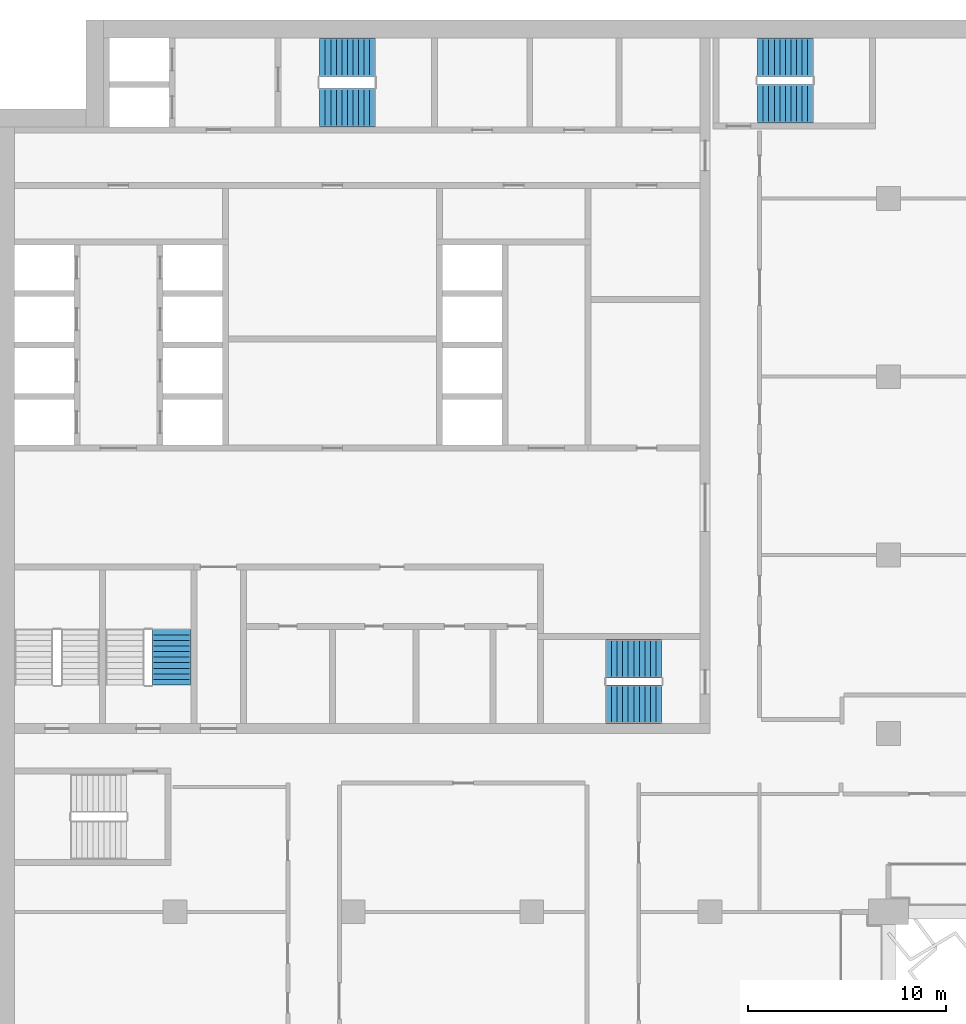
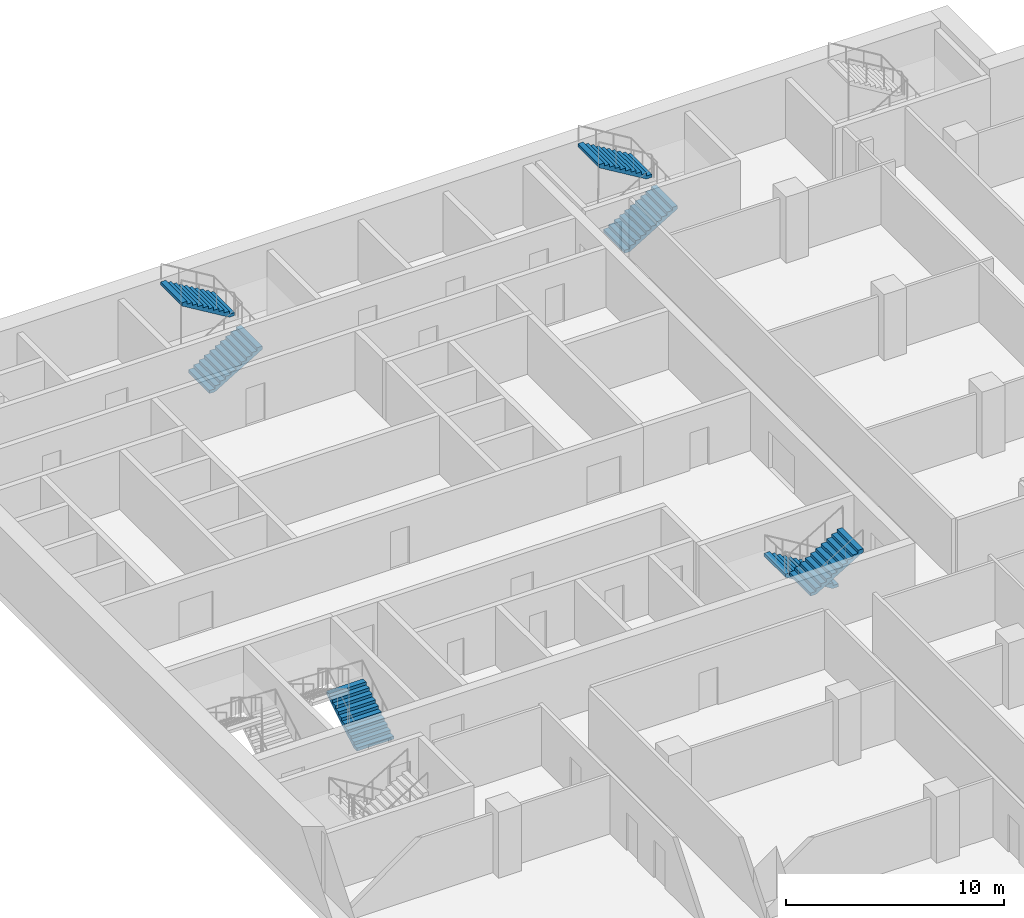
# One storey, part 16 of 22: 7 stair flights, 4 elements without a shape of their own.
"""IFC4 building model written with IfcOpenShell, lengths in metres."""

from ifc_helpers import new_model, si_unit, direction, frame, origin, place, context, subcontext, project, spatial, polyline, outline, extrude, material, type_object, element, aggregate, save


model = new_model("IFC4")

# Units and contexts
model_context = context("Model", 3, precision=1e-05, world=origin(), true_north=direction((0.0, 1.0)))
body_context = subcontext(model_context, "Body", "Model", "MODEL_VIEW")
ifc_project = project(units=[si_unit("LENGTHUNIT", "METRE"), si_unit("AREAUNIT", "SQUARE_METRE"), si_unit("VOLUMEUNIT", "CUBIC_METRE"), si_unit("PLANEANGLEUNIT", "RADIAN"), si_unit("MASSUNIT", "GRAM", prefix="KILO")], contexts=[model_context])

# Site, building, storey
site_placement = place(None, origin())
site = spatial("IfcSite", under=ifc_project, at=site_placement, CompositionType="ELEMENT")
building_placement = place(site_placement, origin())
building = spatial("IfcBuilding", under=site, at=building_placement, Name="Hunhe Ridgeline Campus", CompositionType="ELEMENT")
storey_placement = place(building_placement, frame((0.0, 0.0, 156.0)))
storey = spatial("IfcBuildingStorey", under=building, at=storey_placement, Name="L39", CompositionType="ELEMENT", Elevation=156.0)

# Stair, stair flights
ifc_material = material(Name="Concrete C40", Category="concrete")
stair_type = type_object("IfcStairType", Name="Reinforced concrete dog-leg stair 1950 Concrete C40", PredefinedType="HALF_TURN_STAIR", material=ifc_material)
stair_1_placement = place(storey_placement, origin())
stair_1 = element("IfcStair", 1, at=stair_1_placement, inside=storey, type_object=stair_type, Name="L39 S1", PredefinedType="HALF_TURN_STAIR")
stair_flight_type = type_object("IfcStairFlightType", Name="Reinforced concrete stair flight 1950 Concrete C40", PredefinedType="STRAIGHT", material=ifc_material)
stair_flight_1_placement = place(storey_placement, frame((16.300048828125, 94.574951171875, 0.0), z_axis=(0.0, 0.0, 1.0), x_axis=(1.0, 0.0, 0.0)))
stair_flight_1 = element("IfcStairFlight", 2, at=stair_flight_1_placement, type_object=stair_flight_type, Name="ST1 flight 1", NumberOfRisers=11, NumberOfTreads=10, PredefinedType="STRAIGHT", RiserHeight=0.168181818, TreadLength=0.28, context=body_context, shape_type="SweptSolid", body=[
    extrude(outline(polyline([(0.0, 0.0), (0.0, 0.168212890625), (0.280029296875, 0.168212890625), (0.280029296875, 0.33642578125), (0.56005859375, 0.33642578125), (0.56005859375, 0.504638671875), (0.840087890625, 0.504638671875), (0.840087890625, 0.672607421875), (1.1201171875, 0.672607421875), (1.1201171875, 0.8408203125), (1.39990234375, 0.8408203125), (1.39990234375, 1.009033203125), (1.679931640625, 1.009033203125), (1.679931640625, 1.17724609375), (1.9599609375, 1.17724609375), (1.9599609375, 1.345458984375), (2.239990234375, 1.345458984375), (2.239990234375, 1.513671875), (2.52001953125, 1.513671875), (2.52001953125, 1.681884765625), (2.800048828125, 1.681884765625), (2.800048828125, 1.85009765625), (2.800048828125, 1.5068359375), (0.291015625, 0.0), (0.0, 0.0)])), frame((0.0, 0.97509765625, 0.0), z_axis=(0.0, -1.0, 0.0), x_axis=(1.0, 0.0, 0.0)), (0.0, 0.0, 1.0), 1.949951171875),
    extrude(outline(polyline([(0.030029296875, 0.030029296875), (0.030029296875, 0.13818359375), (0.31005859375, 0.13818359375), (0.31005859375, 0.306396484375), (0.590087890625, 0.306396484375), (0.590087890625, 0.474609375), (0.8701171875, 0.474609375), (0.8701171875, 0.642578125), (1.14990234375, 0.642578125), (1.14990234375, 0.810791015625), (1.429931640625, 0.810791015625), (1.429931640625, 0.97900390625), (1.7099609375, 0.97900390625), (1.7099609375, 1.147216796875), (1.989990234375, 1.147216796875), (1.989990234375, 1.3154296875), (2.27001953125, 1.3154296875), (2.27001953125, 1.483642578125), (2.550048828125, 1.483642578125), (2.550048828125, 1.65185546875), (2.77001953125, 1.65185546875), (2.77001953125, 1.52392578125), (0.28271484375, 0.030029296875), (0.030029296875, 0.030029296875)])), frame((0.0, -0.070068359375, 0.0), z_axis=(0.0, -1.0, 0.0), x_axis=(1.0, 0.0, 0.0)), (0.0, 0.0, 1.0), 0.019775390625),
    extrude(outline(polyline([(0.030029296875, 0.030029296875), (0.030029296875, 0.13818359375), (0.31005859375, 0.13818359375), (0.31005859375, 0.306396484375), (0.590087890625, 0.306396484375), (0.590087890625, 0.474609375), (0.8701171875, 0.474609375), (0.8701171875, 0.642578125), (1.14990234375, 0.642578125), (1.14990234375, 0.810791015625), (1.429931640625, 0.810791015625), (1.429931640625, 0.97900390625), (1.7099609375, 0.97900390625), (1.7099609375, 1.147216796875), (1.989990234375, 1.147216796875), (1.989990234375, 1.3154296875), (2.27001953125, 1.3154296875), (2.27001953125, 1.483642578125), (2.550048828125, 1.483642578125), (2.550048828125, 1.65185546875), (2.77001953125, 1.65185546875), (2.77001953125, 1.52392578125), (0.28271484375, 0.030029296875), (0.030029296875, 0.030029296875)])), frame((0.0, 0.010009765625, 0.0), z_axis=(0.0, -1.0, 0.0), x_axis=(1.0, 0.0, 0.0)), (0.0, 0.0, 1.0), 0.019775390625),
    extrude(outline(polyline([(0.030029296875, 0.030029296875), (0.030029296875, 0.13818359375), (0.31005859375, 0.13818359375), (0.31005859375, 0.306396484375), (0.590087890625, 0.306396484375), (0.590087890625, 0.474609375), (0.8701171875, 0.474609375), (0.8701171875, 0.642578125), (1.14990234375, 0.642578125), (1.14990234375, 0.810791015625), (1.429931640625, 0.810791015625), (1.429931640625, 0.97900390625), (1.7099609375, 0.97900390625), (1.7099609375, 1.147216796875), (1.989990234375, 1.147216796875), (1.989990234375, 1.3154296875), (2.27001953125, 1.3154296875), (2.27001953125, 1.483642578125), (2.550048828125, 1.483642578125), (2.550048828125, 1.65185546875), (2.77001953125, 1.65185546875), (2.77001953125, 1.52392578125), (0.28271484375, 0.030029296875), (0.030029296875, 0.030029296875)])), frame((0.0, 0.090087890625, 0.0), z_axis=(0.0, -1.0, 0.0), x_axis=(1.0, 0.0, 0.0)), (0.0, 0.0, 1.0), 0.019775390625),
])
stair_flight_2_placement = place(storey_placement, frame((19.10009765625, 97.125, 1.85009765625), z_axis=(0.0, 0.0, 1.0), x_axis=(-1.0, 0.0, 0.0)))
stair_flight_2 = element("IfcStairFlight", 3, at=stair_flight_2_placement, type_object=stair_flight_type, Name="ST1 flight 2", NumberOfRisers=11, NumberOfTreads=10, PredefinedType="STRAIGHT", RiserHeight=0.168181818, TreadLength=0.28, context=body_context, shape_type="SweptSolid", body=[
    extrude(outline(polyline([(0.0, 0.0), (0.0, 0.168212890625), (0.280029296875, 0.168212890625), (0.280029296875, 0.33642578125), (0.56005859375, 0.33642578125), (0.56005859375, 0.504638671875), (0.840087890625, 0.504638671875), (0.840087890625, 0.672607421875), (1.1201171875, 0.672607421875), (1.1201171875, 0.8408203125), (1.39990234375, 0.8408203125), (1.39990234375, 1.009033203125), (1.679931640625, 1.009033203125), (1.679931640625, 1.17724609375), (1.9599609375, 1.17724609375), (1.9599609375, 1.345458984375), (2.239990234375, 1.345458984375), (2.239990234375, 1.513671875), (2.52001953125, 1.513671875), (2.52001953125, 1.681884765625), (2.800048828125, 1.681884765625), (2.800048828125, 1.85009765625), (2.800048828125, 1.5068359375), (0.291015625, 0.0), (0.0, 0.0)])), frame((0.0, 0.97509765625, 0.0), z_axis=(0.0, -1.0, 0.0), x_axis=(1.0, 0.0, 0.0)), (0.0, 0.0, 1.0), 1.949951171875),
    extrude(outline(polyline([(0.030029296875, 0.030029296875), (0.030029296875, 0.13818359375), (0.31005859375, 0.13818359375), (0.31005859375, 0.306396484375), (0.590087890625, 0.306396484375), (0.590087890625, 0.474609375), (0.8701171875, 0.474609375), (0.8701171875, 0.642578125), (1.14990234375, 0.642578125), (1.14990234375, 0.810791015625), (1.429931640625, 0.810791015625), (1.429931640625, 0.97900390625), (1.7099609375, 0.97900390625), (1.7099609375, 1.147216796875), (1.989990234375, 1.147216796875), (1.989990234375, 1.3154296875), (2.27001953125, 1.3154296875), (2.27001953125, 1.483642578125), (2.550048828125, 1.483642578125), (2.550048828125, 1.65185546875), (2.77001953125, 1.65185546875), (2.77001953125, 1.52392578125), (0.28271484375, 0.030029296875), (0.030029296875, 0.030029296875)])), frame((0.0, -0.070068359375, 0.0), z_axis=(0.0, -1.0, 0.0), x_axis=(1.0, 0.0, 0.0)), (0.0, 0.0, 1.0), 0.019775390625),
    extrude(outline(polyline([(0.030029296875, 0.030029296875), (0.030029296875, 0.13818359375), (0.31005859375, 0.13818359375), (0.31005859375, 0.306396484375), (0.590087890625, 0.306396484375), (0.590087890625, 0.474609375), (0.8701171875, 0.474609375), (0.8701171875, 0.642578125), (1.14990234375, 0.642578125), (1.14990234375, 0.810791015625), (1.429931640625, 0.810791015625), (1.429931640625, 0.97900390625), (1.7099609375, 0.97900390625), (1.7099609375, 1.147216796875), (1.989990234375, 1.147216796875), (1.989990234375, 1.3154296875), (2.27001953125, 1.3154296875), (2.27001953125, 1.483642578125), (2.550048828125, 1.483642578125), (2.550048828125, 1.65185546875), (2.77001953125, 1.65185546875), (2.77001953125, 1.52392578125), (0.28271484375, 0.030029296875), (0.030029296875, 0.030029296875)])), frame((0.0, 0.010009765625, 0.0), z_axis=(0.0, -1.0, 0.0), x_axis=(1.0, 0.0, 0.0)), (0.0, 0.0, 1.0), 0.019775390625),
    extrude(outline(polyline([(0.030029296875, 0.030029296875), (0.030029296875, 0.13818359375), (0.31005859375, 0.13818359375), (0.31005859375, 0.306396484375), (0.590087890625, 0.306396484375), (0.590087890625, 0.474609375), (0.8701171875, 0.474609375), (0.8701171875, 0.642578125), (1.14990234375, 0.642578125), (1.14990234375, 0.810791015625), (1.429931640625, 0.810791015625), (1.429931640625, 0.97900390625), (1.7099609375, 0.97900390625), (1.7099609375, 1.147216796875), (1.989990234375, 1.147216796875), (1.989990234375, 1.3154296875), (2.27001953125, 1.3154296875), (2.27001953125, 1.483642578125), (2.550048828125, 1.483642578125), (2.550048828125, 1.65185546875), (2.77001953125, 1.65185546875), (2.77001953125, 1.52392578125), (0.28271484375, 0.030029296875), (0.030029296875, 0.030029296875)])), frame((0.0, 0.090087890625, 0.0), z_axis=(0.0, -1.0, 0.0), x_axis=(1.0, 0.0, 0.0)), (0.0, 0.0, 1.0), 0.019775390625),
])
aggregate(stair_1, [stair_flight_1, stair_flight_2])

stair_2_placement = place(storey_placement, origin())
stair_2 = element("IfcStair", 4, at=stair_2_placement, inside=storey, type_object=stair_type, Name="L39 S2", PredefinedType="HALF_TURN_STAIR")
stair_flight_3_placement = place(storey_placement, frame((33.550048828125, 66.77490234375, 0.0), z_axis=(0.0, 0.0, 1.0), x_axis=(-1.0, 0.0, 0.0)))
stair_flight_3 = element("IfcStairFlight", 5, at=stair_flight_3_placement, type_object=stair_flight_type, Name="ST2 flight 1", NumberOfRisers=11, NumberOfTreads=10, PredefinedType="STRAIGHT", RiserHeight=0.168181818, TreadLength=0.28, context=body_context, shape_type="SweptSolid", body=[
    extrude(outline(polyline([(0.0, 0.0), (0.0, 0.168212890625), (0.280029296875, 0.168212890625), (0.280029296875, 0.33642578125), (0.56005859375, 0.33642578125), (0.56005859375, 0.504638671875), (0.840087890625, 0.504638671875), (0.840087890625, 0.672607421875), (1.1201171875, 0.672607421875), (1.1201171875, 0.8408203125), (1.39990234375, 0.8408203125), (1.39990234375, 1.009033203125), (1.679931640625, 1.009033203125), (1.679931640625, 1.17724609375), (1.9599609375, 1.17724609375), (1.9599609375, 1.345458984375), (2.239990234375, 1.345458984375), (2.239990234375, 1.513671875), (2.52001953125, 1.513671875), (2.52001953125, 1.681884765625), (2.800048828125, 1.681884765625), (2.800048828125, 1.85009765625), (2.800048828125, 1.5068359375), (0.291015625, 0.0), (0.0, 0.0)])), frame((0.0, 0.97509765625, 0.0), z_axis=(0.0, -1.0, 0.0), x_axis=(1.0, 0.0, 0.0)), (0.0, 0.0, 1.0), 1.949951171875),
    extrude(outline(polyline([(0.030029296875, 0.030029296875), (0.030029296875, 0.13818359375), (0.31005859375, 0.13818359375), (0.31005859375, 0.306396484375), (0.590087890625, 0.306396484375), (0.590087890625, 0.474609375), (0.8701171875, 0.474609375), (0.8701171875, 0.642578125), (1.14990234375, 0.642578125), (1.14990234375, 0.810791015625), (1.429931640625, 0.810791015625), (1.429931640625, 0.97900390625), (1.7099609375, 0.97900390625), (1.7099609375, 1.147216796875), (1.989990234375, 1.147216796875), (1.989990234375, 1.3154296875), (2.27001953125, 1.3154296875), (2.27001953125, 1.483642578125), (2.550048828125, 1.483642578125), (2.550048828125, 1.65185546875), (2.77001953125, 1.65185546875), (2.77001953125, 1.52392578125), (0.28271484375, 0.030029296875), (0.030029296875, 0.030029296875)])), frame((0.0, -0.070068359375, 0.0), z_axis=(0.0, -1.0, 0.0), x_axis=(1.0, 0.0, 0.0)), (0.0, 0.0, 1.0), 0.019775390625),
    extrude(outline(polyline([(0.030029296875, 0.030029296875), (0.030029296875, 0.13818359375), (0.31005859375, 0.13818359375), (0.31005859375, 0.306396484375), (0.590087890625, 0.306396484375), (0.590087890625, 0.474609375), (0.8701171875, 0.474609375), (0.8701171875, 0.642578125), (1.14990234375, 0.642578125), (1.14990234375, 0.810791015625), (1.429931640625, 0.810791015625), (1.429931640625, 0.97900390625), (1.7099609375, 0.97900390625), (1.7099609375, 1.147216796875), (1.989990234375, 1.147216796875), (1.989990234375, 1.3154296875), (2.27001953125, 1.3154296875), (2.27001953125, 1.483642578125), (2.550048828125, 1.483642578125), (2.550048828125, 1.65185546875), (2.77001953125, 1.65185546875), (2.77001953125, 1.52392578125), (0.28271484375, 0.030029296875), (0.030029296875, 0.030029296875)])), frame((0.0, 0.010009765625, 0.0), z_axis=(0.0, -1.0, 0.0), x_axis=(1.0, 0.0, 0.0)), (0.0, 0.0, 1.0), 0.019775390625),
    extrude(outline(polyline([(0.030029296875, 0.030029296875), (0.030029296875, 0.13818359375), (0.31005859375, 0.13818359375), (0.31005859375, 0.306396484375), (0.590087890625, 0.306396484375), (0.590087890625, 0.474609375), (0.8701171875, 0.474609375), (0.8701171875, 0.642578125), (1.14990234375, 0.642578125), (1.14990234375, 0.810791015625), (1.429931640625, 0.810791015625), (1.429931640625, 0.97900390625), (1.7099609375, 0.97900390625), (1.7099609375, 1.147216796875), (1.989990234375, 1.147216796875), (1.989990234375, 1.3154296875), (2.27001953125, 1.3154296875), (2.27001953125, 1.483642578125), (2.550048828125, 1.483642578125), (2.550048828125, 1.65185546875), (2.77001953125, 1.65185546875), (2.77001953125, 1.52392578125), (0.28271484375, 0.030029296875), (0.030029296875, 0.030029296875)])), frame((0.0, 0.090087890625, 0.0), z_axis=(0.0, -1.0, 0.0), x_axis=(1.0, 0.0, 0.0)), (0.0, 0.0, 1.0), 0.019775390625),
])
stair_flight_4_placement = place(storey_placement, frame((30.75, 64.47509765625, 1.85009765625), z_axis=(0.0, 0.0, 1.0), x_axis=(1.0, 0.0, 0.0)))
stair_flight_4 = element("IfcStairFlight", 6, at=stair_flight_4_placement, type_object=stair_flight_type, Name="ST2 flight 2", NumberOfRisers=11, NumberOfTreads=10, PredefinedType="STRAIGHT", RiserHeight=0.168181818, TreadLength=0.28, context=body_context, shape_type="SweptSolid", body=[
    extrude(outline(polyline([(0.0, 0.0), (0.0, 0.168212890625), (0.280029296875, 0.168212890625), (0.280029296875, 0.33642578125), (0.56005859375, 0.33642578125), (0.56005859375, 0.504638671875), (0.840087890625, 0.504638671875), (0.840087890625, 0.672607421875), (1.1201171875, 0.672607421875), (1.1201171875, 0.8408203125), (1.39990234375, 0.8408203125), (1.39990234375, 1.009033203125), (1.679931640625, 1.009033203125), (1.679931640625, 1.17724609375), (1.9599609375, 1.17724609375), (1.9599609375, 1.345458984375), (2.239990234375, 1.345458984375), (2.239990234375, 1.513671875), (2.52001953125, 1.513671875), (2.52001953125, 1.681884765625), (2.800048828125, 1.681884765625), (2.800048828125, 1.85009765625), (2.800048828125, 1.5068359375), (0.291015625, 0.0), (0.0, 0.0)])), frame((0.0, 0.97509765625, 0.0), z_axis=(0.0, -1.0, 0.0), x_axis=(1.0, 0.0, 0.0)), (0.0, 0.0, 1.0), 1.949951171875),
    extrude(outline(polyline([(0.030029296875, 0.030029296875), (0.030029296875, 0.13818359375), (0.31005859375, 0.13818359375), (0.31005859375, 0.306396484375), (0.590087890625, 0.306396484375), (0.590087890625, 0.474609375), (0.8701171875, 0.474609375), (0.8701171875, 0.642578125), (1.14990234375, 0.642578125), (1.14990234375, 0.810791015625), (1.429931640625, 0.810791015625), (1.429931640625, 0.97900390625), (1.7099609375, 0.97900390625), (1.7099609375, 1.147216796875), (1.989990234375, 1.147216796875), (1.989990234375, 1.3154296875), (2.27001953125, 1.3154296875), (2.27001953125, 1.483642578125), (2.550048828125, 1.483642578125), (2.550048828125, 1.65185546875), (2.77001953125, 1.65185546875), (2.77001953125, 1.52392578125), (0.28271484375, 0.030029296875), (0.030029296875, 0.030029296875)])), frame((0.0, -0.070068359375, 0.0), z_axis=(0.0, -1.0, 0.0), x_axis=(1.0, 0.0, 0.0)), (0.0, 0.0, 1.0), 0.019775390625),
    extrude(outline(polyline([(0.030029296875, 0.030029296875), (0.030029296875, 0.13818359375), (0.31005859375, 0.13818359375), (0.31005859375, 0.306396484375), (0.590087890625, 0.306396484375), (0.590087890625, 0.474609375), (0.8701171875, 0.474609375), (0.8701171875, 0.642578125), (1.14990234375, 0.642578125), (1.14990234375, 0.810791015625), (1.429931640625, 0.810791015625), (1.429931640625, 0.97900390625), (1.7099609375, 0.97900390625), (1.7099609375, 1.147216796875), (1.989990234375, 1.147216796875), (1.989990234375, 1.3154296875), (2.27001953125, 1.3154296875), (2.27001953125, 1.483642578125), (2.550048828125, 1.483642578125), (2.550048828125, 1.65185546875), (2.77001953125, 1.65185546875), (2.77001953125, 1.52392578125), (0.28271484375, 0.030029296875), (0.030029296875, 0.030029296875)])), frame((0.0, 0.010009765625, 0.0), z_axis=(0.0, -1.0, 0.0), x_axis=(1.0, 0.0, 0.0)), (0.0, 0.0, 1.0), 0.019775390625),
    extrude(outline(polyline([(0.030029296875, 0.030029296875), (0.030029296875, 0.13818359375), (0.31005859375, 0.13818359375), (0.31005859375, 0.306396484375), (0.590087890625, 0.306396484375), (0.590087890625, 0.474609375), (0.8701171875, 0.474609375), (0.8701171875, 0.642578125), (1.14990234375, 0.642578125), (1.14990234375, 0.810791015625), (1.429931640625, 0.810791015625), (1.429931640625, 0.97900390625), (1.7099609375, 0.97900390625), (1.7099609375, 1.147216796875), (1.989990234375, 1.147216796875), (1.989990234375, 1.3154296875), (2.27001953125, 1.3154296875), (2.27001953125, 1.483642578125), (2.550048828125, 1.483642578125), (2.550048828125, 1.65185546875), (2.77001953125, 1.65185546875), (2.77001953125, 1.52392578125), (0.28271484375, 0.030029296875), (0.030029296875, 0.030029296875)])), frame((0.0, 0.090087890625, 0.0), z_axis=(0.0, -1.0, 0.0), x_axis=(1.0, 0.0, 0.0)), (0.0, 0.0, 1.0), 0.019775390625),
])
aggregate(stair_2, [stair_flight_3, stair_flight_4])

# Stair, stair flight
stair_3_placement = place(storey_placement, origin())
stair_3 = element("IfcStair", 7, at=stair_3_placement, inside=storey, type_object=stair_type, Name="L39 S4", PredefinedType="HALF_TURN_STAIR")
stair_flight_5_placement = place(storey_placement, frame((8.824951171875, 65.449951171875, 0.0), z_axis=(0.0, 0.0, 1.0), x_axis=(0.0, 1.0, 0.0)))
stair_flight_5 = element("IfcStairFlight", 8, at=stair_flight_5_placement, type_object=stair_flight_type, Name="ST4 flight 1", NumberOfRisers=11, NumberOfTreads=10, PredefinedType="STRAIGHT", RiserHeight=0.168181818, TreadLength=0.28, context=body_context, shape_type="SweptSolid", body=[
    extrude(outline(polyline([(0.0, 0.0), (0.0, 0.168212890625), (0.280029296875, 0.168212890625), (0.280029296875, 0.33642578125), (0.56005859375, 0.33642578125), (0.56005859375, 0.504638671875), (0.840087890625, 0.504638671875), (0.840087890625, 0.672607421875), (1.1201171875, 0.672607421875), (1.1201171875, 0.8408203125), (1.39990234375, 0.8408203125), (1.39990234375, 1.009033203125), (1.679931640625, 1.009033203125), (1.679931640625, 1.17724609375), (1.9599609375, 1.17724609375), (1.9599609375, 1.345458984375), (2.239990234375, 1.345458984375), (2.239990234375, 1.513671875), (2.52001953125, 1.513671875), (2.52001953125, 1.681884765625), (2.800048828125, 1.681884765625), (2.800048828125, 1.85009765625), (2.800048828125, 1.5068359375), (0.291015625, 0.0), (0.0, 0.0)])), frame((0.0, 0.97509765625, 0.0), z_axis=(0.0, -1.0, 0.0), x_axis=(1.0, 0.0, 0.0)), (0.0, 0.0, 1.0), 1.949951171875),
    extrude(outline(polyline([(0.030029296875, 0.030029296875), (0.030029296875, 0.13818359375), (0.31005859375, 0.13818359375), (0.31005859375, 0.306396484375), (0.590087890625, 0.306396484375), (0.590087890625, 0.474609375), (0.8701171875, 0.474609375), (0.8701171875, 0.642578125), (1.14990234375, 0.642578125), (1.14990234375, 0.810791015625), (1.429931640625, 0.810791015625), (1.429931640625, 0.97900390625), (1.7099609375, 0.97900390625), (1.7099609375, 1.147216796875), (1.989990234375, 1.147216796875), (1.989990234375, 1.3154296875), (2.27001953125, 1.3154296875), (2.27001953125, 1.483642578125), (2.550048828125, 1.483642578125), (2.550048828125, 1.65185546875), (2.77001953125, 1.65185546875), (2.77001953125, 1.52392578125), (0.28271484375, 0.030029296875), (0.030029296875, 0.030029296875)])), frame((0.0, -0.070068359375, 0.0), z_axis=(0.0, -1.0, 0.0), x_axis=(1.0, 0.0, 0.0)), (0.0, 0.0, 1.0), 0.019775390625),
    extrude(outline(polyline([(0.030029296875, 0.030029296875), (0.030029296875, 0.13818359375), (0.31005859375, 0.13818359375), (0.31005859375, 0.306396484375), (0.590087890625, 0.306396484375), (0.590087890625, 0.474609375), (0.8701171875, 0.474609375), (0.8701171875, 0.642578125), (1.14990234375, 0.642578125), (1.14990234375, 0.810791015625), (1.429931640625, 0.810791015625), (1.429931640625, 0.97900390625), (1.7099609375, 0.97900390625), (1.7099609375, 1.147216796875), (1.989990234375, 1.147216796875), (1.989990234375, 1.3154296875), (2.27001953125, 1.3154296875), (2.27001953125, 1.483642578125), (2.550048828125, 1.483642578125), (2.550048828125, 1.65185546875), (2.77001953125, 1.65185546875), (2.77001953125, 1.52392578125), (0.28271484375, 0.030029296875), (0.030029296875, 0.030029296875)])), frame((0.0, 0.010009765625, 0.0), z_axis=(0.0, -1.0, 0.0), x_axis=(1.0, 0.0, 0.0)), (0.0, 0.0, 1.0), 0.019775390625),
    extrude(outline(polyline([(0.030029296875, 0.030029296875), (0.030029296875, 0.13818359375), (0.31005859375, 0.13818359375), (0.31005859375, 0.306396484375), (0.590087890625, 0.306396484375), (0.590087890625, 0.474609375), (0.8701171875, 0.474609375), (0.8701171875, 0.642578125), (1.14990234375, 0.642578125), (1.14990234375, 0.810791015625), (1.429931640625, 0.810791015625), (1.429931640625, 0.97900390625), (1.7099609375, 0.97900390625), (1.7099609375, 1.147216796875), (1.989990234375, 1.147216796875), (1.989990234375, 1.3154296875), (2.27001953125, 1.3154296875), (2.27001953125, 1.483642578125), (2.550048828125, 1.483642578125), (2.550048828125, 1.65185546875), (2.77001953125, 1.65185546875), (2.77001953125, 1.52392578125), (0.28271484375, 0.030029296875), (0.030029296875, 0.030029296875)])), frame((0.0, 0.090087890625, 0.0), z_axis=(0.0, -1.0, 0.0), x_axis=(1.0, 0.0, 0.0)), (0.0, 0.0, 1.0), 0.019775390625),
])
aggregate(stair_3, [stair_flight_5])

# Stair, stair flights
stair_4_placement = place(storey_placement, origin())
stair_4 = element("IfcStair", 9, at=stair_4_placement, inside=storey, type_object=stair_type, Name="L39 E1", PredefinedType="HALF_TURN_STAIR")
stair_flight_6_placement = place(storey_placement, frame((38.39990234375, 94.77490234375, 0.0), z_axis=(0.0, 0.0, 1.0), x_axis=(1.0, 0.0, 0.0)))
stair_flight_6 = element("IfcStairFlight", 10, at=stair_flight_6_placement, type_object=stair_flight_type, Name="ST5 flight 1", NumberOfRisers=11, NumberOfTreads=10, PredefinedType="STRAIGHT", RiserHeight=0.168181818, TreadLength=0.28, context=body_context, shape_type="SweptSolid", body=[
    extrude(outline(polyline([(0.0, 0.0), (0.0, 0.168212890625), (0.280029296875, 0.168212890625), (0.280029296875, 0.33642578125), (0.56005859375, 0.33642578125), (0.56005859375, 0.504638671875), (0.840087890625, 0.504638671875), (0.840087890625, 0.672607421875), (1.1201171875, 0.672607421875), (1.1201171875, 0.8408203125), (1.39990234375, 0.8408203125), (1.39990234375, 1.009033203125), (1.679931640625, 1.009033203125), (1.679931640625, 1.17724609375), (1.9599609375, 1.17724609375), (1.9599609375, 1.345458984375), (2.239990234375, 1.345458984375), (2.239990234375, 1.513671875), (2.52001953125, 1.513671875), (2.52001953125, 1.681884765625), (2.800048828125, 1.681884765625), (2.800048828125, 1.85009765625), (2.800048828125, 1.5068359375), (0.291015625, 0.0), (0.0, 0.0)])), frame((0.0, 0.97509765625, 0.0), z_axis=(0.0, -1.0, 0.0), x_axis=(1.0, 0.0, 0.0)), (0.0, 0.0, 1.0), 1.949951171875),
    extrude(outline(polyline([(0.030029296875, 0.030029296875), (0.030029296875, 0.13818359375), (0.31005859375, 0.13818359375), (0.31005859375, 0.306396484375), (0.590087890625, 0.306396484375), (0.590087890625, 0.474609375), (0.8701171875, 0.474609375), (0.8701171875, 0.642578125), (1.14990234375, 0.642578125), (1.14990234375, 0.810791015625), (1.429931640625, 0.810791015625), (1.429931640625, 0.97900390625), (1.7099609375, 0.97900390625), (1.7099609375, 1.147216796875), (1.989990234375, 1.147216796875), (1.989990234375, 1.3154296875), (2.27001953125, 1.3154296875), (2.27001953125, 1.483642578125), (2.550048828125, 1.483642578125), (2.550048828125, 1.65185546875), (2.77001953125, 1.65185546875), (2.77001953125, 1.52392578125), (0.28271484375, 0.030029296875), (0.030029296875, 0.030029296875)])), frame((0.0, -0.070068359375, 0.0), z_axis=(0.0, -1.0, 0.0), x_axis=(1.0, 0.0, 0.0)), (0.0, 0.0, 1.0), 0.019775390625),
    extrude(outline(polyline([(0.030029296875, 0.030029296875), (0.030029296875, 0.13818359375), (0.31005859375, 0.13818359375), (0.31005859375, 0.306396484375), (0.590087890625, 0.306396484375), (0.590087890625, 0.474609375), (0.8701171875, 0.474609375), (0.8701171875, 0.642578125), (1.14990234375, 0.642578125), (1.14990234375, 0.810791015625), (1.429931640625, 0.810791015625), (1.429931640625, 0.97900390625), (1.7099609375, 0.97900390625), (1.7099609375, 1.147216796875), (1.989990234375, 1.147216796875), (1.989990234375, 1.3154296875), (2.27001953125, 1.3154296875), (2.27001953125, 1.483642578125), (2.550048828125, 1.483642578125), (2.550048828125, 1.65185546875), (2.77001953125, 1.65185546875), (2.77001953125, 1.52392578125), (0.28271484375, 0.030029296875), (0.030029296875, 0.030029296875)])), frame((0.0, 0.010009765625, 0.0), z_axis=(0.0, -1.0, 0.0), x_axis=(1.0, 0.0, 0.0)), (0.0, 0.0, 1.0), 0.019775390625),
    extrude(outline(polyline([(0.030029296875, 0.030029296875), (0.030029296875, 0.13818359375), (0.31005859375, 0.13818359375), (0.31005859375, 0.306396484375), (0.590087890625, 0.306396484375), (0.590087890625, 0.474609375), (0.8701171875, 0.474609375), (0.8701171875, 0.642578125), (1.14990234375, 0.642578125), (1.14990234375, 0.810791015625), (1.429931640625, 0.810791015625), (1.429931640625, 0.97900390625), (1.7099609375, 0.97900390625), (1.7099609375, 1.147216796875), (1.989990234375, 1.147216796875), (1.989990234375, 1.3154296875), (2.27001953125, 1.3154296875), (2.27001953125, 1.483642578125), (2.550048828125, 1.483642578125), (2.550048828125, 1.65185546875), (2.77001953125, 1.65185546875), (2.77001953125, 1.52392578125), (0.28271484375, 0.030029296875), (0.030029296875, 0.030029296875)])), frame((0.0, 0.090087890625, 0.0), z_axis=(0.0, -1.0, 0.0), x_axis=(1.0, 0.0, 0.0)), (0.0, 0.0, 1.0), 0.019775390625),
])
stair_flight_7_placement = place(storey_placement, frame((41.199951171875, 97.125, 1.85009765625), z_axis=(0.0, 0.0, 1.0), x_axis=(-1.0, 0.0, 0.0)))
stair_flight_7 = element("IfcStairFlight", 11, at=stair_flight_7_placement, type_object=stair_flight_type, Name="ST5 flight 2", NumberOfRisers=11, NumberOfTreads=10, PredefinedType="STRAIGHT", RiserHeight=0.168181818, TreadLength=0.28, context=body_context, shape_type="SweptSolid", body=[
    extrude(outline(polyline([(0.0, 0.0), (0.0, 0.168212890625), (0.280029296875, 0.168212890625), (0.280029296875, 0.33642578125), (0.56005859375, 0.33642578125), (0.56005859375, 0.504638671875), (0.840087890625, 0.504638671875), (0.840087890625, 0.672607421875), (1.1201171875, 0.672607421875), (1.1201171875, 0.8408203125), (1.39990234375, 0.8408203125), (1.39990234375, 1.009033203125), (1.679931640625, 1.009033203125), (1.679931640625, 1.17724609375), (1.9599609375, 1.17724609375), (1.9599609375, 1.345458984375), (2.239990234375, 1.345458984375), (2.239990234375, 1.513671875), (2.52001953125, 1.513671875), (2.52001953125, 1.681884765625), (2.800048828125, 1.681884765625), (2.800048828125, 1.85009765625), (2.800048828125, 1.5068359375), (0.291015625, 0.0), (0.0, 0.0)])), frame((0.0, 0.97509765625, 0.0), z_axis=(0.0, -1.0, 0.0), x_axis=(1.0, 0.0, 0.0)), (0.0, 0.0, 1.0), 1.949951171875),
    extrude(outline(polyline([(0.030029296875, 0.030029296875), (0.030029296875, 0.13818359375), (0.31005859375, 0.13818359375), (0.31005859375, 0.306396484375), (0.590087890625, 0.306396484375), (0.590087890625, 0.474609375), (0.8701171875, 0.474609375), (0.8701171875, 0.642578125), (1.14990234375, 0.642578125), (1.14990234375, 0.810791015625), (1.429931640625, 0.810791015625), (1.429931640625, 0.97900390625), (1.7099609375, 0.97900390625), (1.7099609375, 1.147216796875), (1.989990234375, 1.147216796875), (1.989990234375, 1.3154296875), (2.27001953125, 1.3154296875), (2.27001953125, 1.483642578125), (2.550048828125, 1.483642578125), (2.550048828125, 1.65185546875), (2.77001953125, 1.65185546875), (2.77001953125, 1.52392578125), (0.28271484375, 0.030029296875), (0.030029296875, 0.030029296875)])), frame((0.0, -0.070068359375, 0.0), z_axis=(0.0, -1.0, 0.0), x_axis=(1.0, 0.0, 0.0)), (0.0, 0.0, 1.0), 0.019775390625),
    extrude(outline(polyline([(0.030029296875, 0.030029296875), (0.030029296875, 0.13818359375), (0.31005859375, 0.13818359375), (0.31005859375, 0.306396484375), (0.590087890625, 0.306396484375), (0.590087890625, 0.474609375), (0.8701171875, 0.474609375), (0.8701171875, 0.642578125), (1.14990234375, 0.642578125), (1.14990234375, 0.810791015625), (1.429931640625, 0.810791015625), (1.429931640625, 0.97900390625), (1.7099609375, 0.97900390625), (1.7099609375, 1.147216796875), (1.989990234375, 1.147216796875), (1.989990234375, 1.3154296875), (2.27001953125, 1.3154296875), (2.27001953125, 1.483642578125), (2.550048828125, 1.483642578125), (2.550048828125, 1.65185546875), (2.77001953125, 1.65185546875), (2.77001953125, 1.52392578125), (0.28271484375, 0.030029296875), (0.030029296875, 0.030029296875)])), frame((0.0, 0.010009765625, 0.0), z_axis=(0.0, -1.0, 0.0), x_axis=(1.0, 0.0, 0.0)), (0.0, 0.0, 1.0), 0.019775390625),
    extrude(outline(polyline([(0.030029296875, 0.030029296875), (0.030029296875, 0.13818359375), (0.31005859375, 0.13818359375), (0.31005859375, 0.306396484375), (0.590087890625, 0.306396484375), (0.590087890625, 0.474609375), (0.8701171875, 0.474609375), (0.8701171875, 0.642578125), (1.14990234375, 0.642578125), (1.14990234375, 0.810791015625), (1.429931640625, 0.810791015625), (1.429931640625, 0.97900390625), (1.7099609375, 0.97900390625), (1.7099609375, 1.147216796875), (1.989990234375, 1.147216796875), (1.989990234375, 1.3154296875), (2.27001953125, 1.3154296875), (2.27001953125, 1.483642578125), (2.550048828125, 1.483642578125), (2.550048828125, 1.65185546875), (2.77001953125, 1.65185546875), (2.77001953125, 1.52392578125), (0.28271484375, 0.030029296875), (0.030029296875, 0.030029296875)])), frame((0.0, 0.090087890625, 0.0), z_axis=(0.0, -1.0, 0.0), x_axis=(1.0, 0.0, 0.0)), (0.0, 0.0, 1.0), 0.019775390625),
])
aggregate(stair_4, [stair_flight_6, stair_flight_7])

save(model, "model.ifc")
